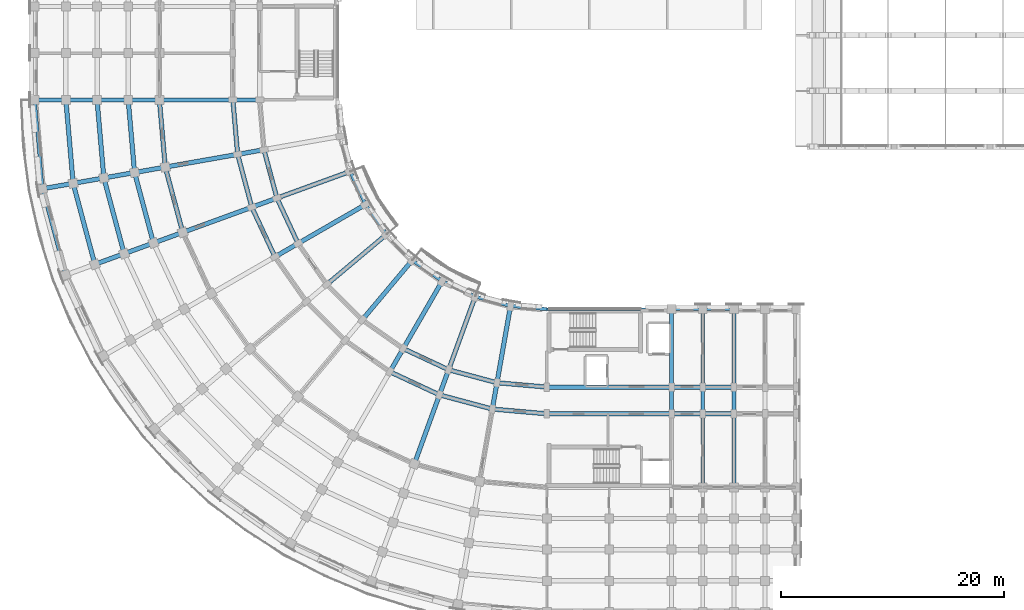
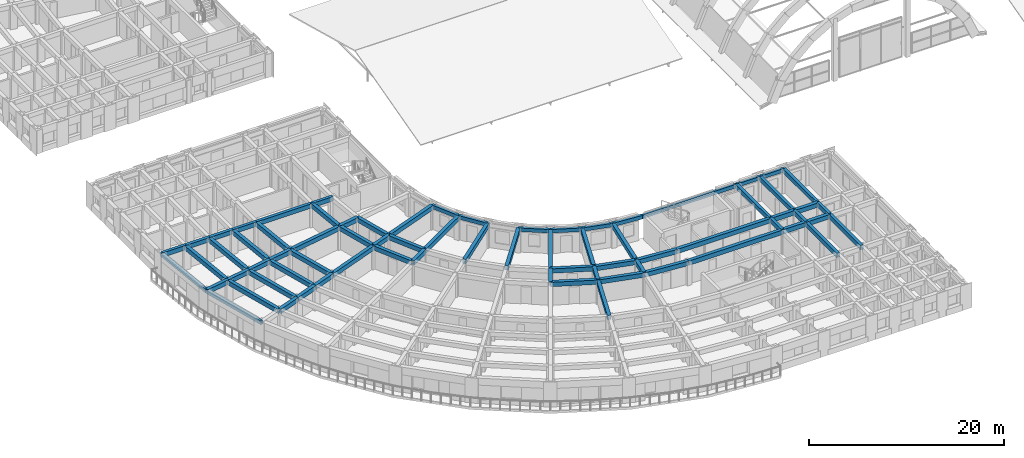
# One storey, part 11 of 76: 73 beams.
"""IFC4 building model written with IfcOpenShell, lengths in metres."""

from ifc_helpers import new_model, si_unit, direction, frame, origin, origin_2d, place, context, subcontext, project, spatial, rectangle, extrude, material, material_profile, profile_set, type_object, element, save


model = new_model("IFC4")

# Units and contexts
model_context = context("Model", 3, precision=1e-05, world=origin(), true_north=direction((0.0, 1.0)))
body_context = subcontext(model_context, "Body", "Model", "MODEL_VIEW")
ifc_project = project(units=[si_unit("LENGTHUNIT", "METRE"), si_unit("AREAUNIT", "SQUARE_METRE"), si_unit("VOLUMEUNIT", "CUBIC_METRE"), si_unit("PLANEANGLEUNIT", "RADIAN"), si_unit("MASSUNIT", "GRAM", prefix="KILO")], contexts=[model_context])

# Site, building, storey
site_placement = place(None, origin())
site = spatial("IfcSite", under=ifc_project, at=site_placement, CompositionType="ELEMENT")
building_placement = place(site_placement, origin())
building = spatial("IfcBuilding", under=site, at=building_placement, Name="Kiranvali Square Residences", CompositionType="ELEMENT")
storey_placement = place(building_placement, frame((0.0, 0.0, 8.699951171875)))
storey = spatial("IfcBuildingStorey", under=building, at=storey_placement, Name="L02", CompositionType="ELEMENT", Elevation=8.699951171875)

# Beams
ifc_material_1 = material(Name="Concrete M40 (40 MPa)", Category="concrete")
ifc_material_profile_1 = material_profile(ifc_material_1, rectangle(XDim=0.35009765625, YDim=0.550048828125, at=origin_2d()), Name="RC 350x550")
ifc_profile_set_1 = profile_set([ifc_material_profile_1], Name="Concrete M40 (40 MPa)")
beam_type_1 = type_object("IfcBeamType", Name="BM-M40-350x550", PredefinedType="BEAM", material=ifc_profile_set_1)
beam_1_placement = place(storey_placement, frame((59.39990234375, 29.39990234375, 2.655029296875), z_axis=(0.0, -1.0, 0.0), x_axis=(1.0, 0.0, 0.0)))
element("IfcBeam", 1, at=beam_1_placement, inside=storey, type_object=beam_type_1, Name="L02 beam BM-C-L02-A1T1-01", PredefinedType="BEAM", context=body_context, shape_type="SweptSolid", body=[
    extrude(rectangle(XDim=0.35009765625, YDim=0.550048828125, at=origin_2d()), origin(), (0.0, 0.0, 1.0), 7.0),
])
beam_2_placement = place(storey_placement, frame((59.39990234375, 22.39990234375, 2.655029296875), z_axis=(0.0, -1.0, 0.0), x_axis=(1.0, 0.0, 0.0)))
element("IfcBeam", 2, at=beam_2_placement, inside=storey, type_object=beam_type_1, Name="L02 beam BM-C-L02-A1T1-12", PredefinedType="BEAM", context=body_context, shape_type="SweptSolid", body=[
    extrude(rectangle(XDim=0.35009765625, YDim=0.550048828125, at=origin_2d()), origin(), (0.0, 0.0, 1.0), 2.39990234375),
])
beam_3_placement = place(storey_placement, frame((62.199951171875, 29.39990234375, 2.655029296875), z_axis=(0.0, -1.0, 0.0), x_axis=(1.0, 0.0, 0.0)))
element("IfcBeam", 3, at=beam_3_placement, inside=storey, type_object=beam_type_1, Name="L02 beam BM-C-L02-A1T2-01", PredefinedType="BEAM", context=body_context, shape_type="SweptSolid", body=[
    extrude(rectangle(XDim=0.35009765625, YDim=0.550048828125, at=origin_2d()), origin(), (0.0, 0.0, 1.0), 7.0),
])
beam_4_placement = place(storey_placement, frame((62.199951171875, 22.39990234375, 2.655029296875), z_axis=(0.0, -1.0, 0.0), x_axis=(1.0, 0.0, 0.0)))
element("IfcBeam", 4, at=beam_4_placement, inside=storey, type_object=beam_type_1, Name="L02 beam BM-C-L02-A1T2-12", PredefinedType="BEAM", context=body_context, shape_type="SweptSolid", body=[
    extrude(rectangle(XDim=0.35009765625, YDim=0.550048828125, at=origin_2d()), origin(), (0.0, 0.0, 1.0), 2.39990234375),
])
beam_5_placement = place(storey_placement, frame((62.199951171875, 20.0, 2.655029296875), z_axis=(0.0, -1.0, 0.0), x_axis=(1.0, 0.0, 0.0)))
element("IfcBeam", 5, at=beam_5_placement, inside=storey, type_object=beam_type_1, Name="L02 beam BM-C-L02-A1T2-23", PredefinedType="BEAM", context=body_context, shape_type="SweptSolid", body=[
    extrude(rectangle(XDim=0.35009765625, YDim=0.550048828125, at=origin_2d()), origin(), (0.0, 0.0, 1.0), 6.60009765625),
])
beam_6_placement = place(storey_placement, frame((65.0, 29.39990234375, 2.655029296875), z_axis=(0.0, -1.0, 0.0), x_axis=(1.0, 0.0, 0.0)))
element("IfcBeam", 6, at=beam_6_placement, inside=storey, type_object=beam_type_1, Name="L02 beam BM-C-L02-A1T3-01", PredefinedType="BEAM", context=body_context, shape_type="SweptSolid", body=[
    extrude(rectangle(XDim=0.35009765625, YDim=0.550048828125, at=origin_2d()), origin(), (0.0, 0.0, 1.0), 7.0),
])
beam_7_placement = place(storey_placement, frame((65.0, 22.39990234375, 2.655029296875), z_axis=(0.0, -1.0, 0.0), x_axis=(1.0, 0.0, 0.0)))
element("IfcBeam", 7, at=beam_7_placement, inside=storey, type_object=beam_type_1, Name="L02 beam BM-C-L02-A1T3-12", PredefinedType="BEAM", context=body_context, shape_type="SweptSolid", body=[
    extrude(rectangle(XDim=0.35009765625, YDim=0.550048828125, at=origin_2d()), origin(), (0.0, 0.0, 1.0), 2.39990234375),
])
beam_8_placement = place(storey_placement, frame((65.0, 20.0, 2.655029296875), z_axis=(0.0, -1.0, 0.0), x_axis=(1.0, 0.0, 0.0)))
element("IfcBeam", 8, at=beam_8_placement, inside=storey, type_object=beam_type_1, Name="L02 beam BM-C-L02-A1T3-23", PredefinedType="BEAM", context=body_context, shape_type="SweptSolid", body=[
    extrude(rectangle(XDim=0.35009765625, YDim=0.550048828125, at=origin_2d()), origin(), (0.0, 0.0, 1.0), 6.60009765625),
])
beam_9_placement = place(storey_placement, frame((22.39990234375, 48.199951171875, 2.655029296875), z_axis=(-1.0, 0.0, 0.0), x_axis=(0.0, -1.0, 0.0)))
element("IfcBeam", 9, at=beam_9_placement, inside=storey, type_object=beam_type_1, Name="L02 beam BM-C-L02-A2T0-12", PredefinedType="BEAM", context=body_context, shape_type="SweptSolid", body=[
    extrude(rectangle(XDim=0.35009765625, YDim=0.550048828125, at=origin_2d()), origin(), (0.0, 0.0, 1.0), 2.39990234375),
])
beam_10_placement = place(storey_placement, frame((20.0, 48.199951171875, 2.655029296875), z_axis=(-1.0, 0.0, 0.0), x_axis=(0.0, -1.0, 0.0)))
element("IfcBeam", 10, at=beam_10_placement, inside=storey, type_object=beam_type_1, Name="L02 beam BM-C-L02-A2T0-23", PredefinedType="BEAM", context=body_context, shape_type="SweptSolid", body=[
    extrude(rectangle(XDim=0.35009765625, YDim=0.550048828125, at=origin_2d()), origin(), (0.0, 0.0, 1.0), 6.60009765625),
])
beam_11_placement = place(storey_placement, frame((13.39990234375, 48.199951171875, 2.655029296875), z_axis=(-1.0, 0.0, 0.0), x_axis=(0.0, -1.0, 0.0)))
element("IfcBeam", 11, at=beam_11_placement, inside=storey, type_object=beam_type_1, Name="L02 beam BM-C-L02-A2T0-34", PredefinedType="BEAM", context=body_context, shape_type="SweptSolid", body=[
    extrude(rectangle(XDim=0.35009765625, YDim=0.550048828125, at=origin_2d()), origin(), (0.0, 0.0, 1.0), 2.7998046875),
])
for number, where, z_axis, x_axis, name in (
    (12, (10.60009765625, 48.199951171875, 2.655029296875), (-1.0, 0.0, 0.0), (0.0, -1.0, 0.0), "L02 beam BM-C-L02-A2T0-45"),
    (13, (7.800048828125, 48.199951171875, 2.655029296875), (-1.0, 0.0, 0.0), (0.0, -1.0, 0.0), "L02 beam BM-C-L02-A2T0-56"),
    (14, (5.0, 48.199951171875, 2.655029296875), (-1.0, 0.0, 0.0), (0.0, -1.0, 0.0), "L02 beam BM-C-L02-A2T0-67"),
):
    element("IfcBeam", number, at=place(storey_placement, frame(where, z_axis=z_axis, x_axis=x_axis)), inside=storey, type_object=beam_type_1, Name=name, PredefinedType="BEAM", context=body_context, shape_type="SweptSolid", body=[
        extrude(rectangle(XDim=0.35009765625, YDim=0.550048828125, at=origin_2d()), origin(), (0.0, 0.0, 1.0), 2.800048828125),
    ])
ifc_material_2 = material(Name="Concrete M45 (45 MPa)", Category="concrete")
ifc_material_profile_2 = material_profile(ifc_material_2, rectangle(XDim=0.39990234375, YDim=0.550048828125, at=origin_2d()), Name="RC 400x550")
ifc_profile_set_2 = profile_set([ifc_material_profile_2], Name="Concrete M45 (45 MPa)")
beam_type_2 = type_object("IfcBeamType", Name="BM-M45-400x550", PredefinedType="BEAM", material=ifc_profile_set_2)
beam_12_placement = place(storey_placement, frame((48.199951171875, 22.39990234375, 2.655029296875), z_axis=(-0.996191949488, 0.087187153726, 0.0), x_axis=(-0.087187153726, -0.996191949488, 0.0)))
element("IfcBeam", 15, at=beam_12_placement, inside=storey, type_object=beam_type_2, Name="L02 beam BM-C-L02-C00-R1", PredefinedType="BEAM", context=body_context, shape_type="SweptSolid", body=[
    extrude(rectangle(XDim=0.39990234375, YDim=0.550048828125, at=origin_2d()), origin(), (0.0, 0.0, 1.0), 4.4970703125),
])
beam_13_placement = place(storey_placement, frame((48.199951171875, 20.0, 2.655029296875), z_axis=(-0.996193663584, 0.087167566415, 0.0), x_axis=(-0.087167566415, -0.996193663584, 0.0)))
element("IfcBeam", 16, at=beam_13_placement, inside=storey, type_object=beam_type_2, Name="L02 beam BM-C-L02-C00-R2", PredefinedType="BEAM", context=body_context, shape_type="SweptSolid", body=[
    extrude(rectangle(XDim=0.39990234375, YDim=0.550048828125, at=origin_2d()), origin(), (0.0, 0.0, 1.0), 4.91552734375),
])
beam_14_placement = place(storey_placement, frame((43.719970703125, 22.7919921875, 2.655029296875), z_axis=(-0.965934240054, 0.258787642463, 0.0), x_axis=(-0.258787642463, -0.965934240054, 0.0)))
element("IfcBeam", 17, at=beam_14_placement, inside=storey, type_object=beam_type_2, Name="L02 beam BM-C-L02-C01-R1", PredefinedType="BEAM", context=body_context, shape_type="SweptSolid", body=[
    extrude(rectangle(XDim=0.39990234375, YDim=0.550048828125, at=origin_2d()), origin(), (0.0, 0.0, 1.0), 4.497314453125),
])
beam_15_placement = place(storey_placement, frame((43.30322265625, 20.428466796875, 2.655029296875), z_axis=(-0.965930095386, 0.258803112091, 0.0), x_axis=(-0.258803112091, -0.965930095386, 0.0)))
element("IfcBeam", 18, at=beam_15_placement, inside=storey, type_object=beam_type_2, Name="L02 beam BM-C-L02-C01-R2", PredefinedType="BEAM", context=body_context, shape_type="SweptSolid", body=[
    extrude(rectangle(XDim=0.39990234375, YDim=0.550048828125, at=origin_2d()), origin(), (0.0, 0.0, 1.0), 4.915771484375),
])
beam_16_placement = place(storey_placement, frame((39.3759765625, 23.955810546875, 2.655029296875), z_axis=(-0.906307919131, 0.422617978463, 0.0), x_axis=(-0.422617978463, -0.906307919131, 0.0)))
element("IfcBeam", 19, at=beam_16_placement, inside=storey, type_object=beam_type_2, Name="L02 beam BM-C-L02-C02-R1", PredefinedType="BEAM", context=body_context, shape_type="SweptSolid", body=[
    extrude(rectangle(XDim=0.39990234375, YDim=0.550048828125, at=origin_2d()), origin(), (0.0, 0.0, 1.0), 4.497314453125),
])
beam_17_placement = place(storey_placement, frame((38.554931640625, 21.70068359375, 2.655029296875), z_axis=(-0.906302381024, 0.422629854778, 0.0), x_axis=(-0.422629854778, -0.906302381024, 0.0)))
element("IfcBeam", 20, at=beam_17_placement, inside=storey, type_object=beam_type_2, Name="L02 beam BM-C-L02-C02-R2", PredefinedType="BEAM", context=body_context, shape_type="SweptSolid", body=[
    extrude(rectangle(XDim=0.39990234375, YDim=0.550048828125, at=origin_2d()), origin(), (0.0, 0.0, 1.0), 4.915283203125),
])
beam_18_placement = place(storey_placement, frame((25.8564453125, 35.300048828125, 2.655029296875), z_axis=(-0.422617978463, 0.906307919131, 0.0), x_axis=(-0.906307919131, -0.422617978463, 0.0)))
element("IfcBeam", 21, at=beam_18_placement, inside=storey, type_object=beam_type_2, Name="L02 beam BM-C-L02-C06-R1", PredefinedType="BEAM", context=body_context, shape_type="SweptSolid", body=[
    extrude(rectangle(XDim=0.39990234375, YDim=0.550048828125, at=origin_2d()), origin(), (0.0, 0.0, 1.0), 4.497314453125),
])
beam_19_placement = place(storey_placement, frame((23.778076171875, 34.10009765625, 2.655029296875), z_axis=(-0.422629854778, 0.906302381024, 0.0), x_axis=(-0.906302381024, -0.422629854778, 0.0)))
element("IfcBeam", 22, at=beam_19_placement, inside=storey, type_object=beam_type_2, Name="L02 beam BM-C-L02-C06-R2", PredefinedType="BEAM", context=body_context, shape_type="SweptSolid", body=[
    extrude(rectangle(XDim=0.39990234375, YDim=0.550048828125, at=origin_2d()), origin(), (0.0, 0.0, 1.0), 4.915283203125),
])
beam_20_placement = place(storey_placement, frame((23.955810546875, 39.3759765625, 2.655029296875), z_axis=(-0.258787642463, 0.965934240054, 0.0), x_axis=(-0.965934240054, -0.258787642463, 0.0)))
element("IfcBeam", 23, at=beam_20_placement, inside=storey, type_object=beam_type_2, Name="L02 beam BM-C-L02-C07-R1", PredefinedType="BEAM", context=body_context, shape_type="SweptSolid", body=[
    extrude(rectangle(XDim=0.39990234375, YDim=0.550048828125, at=origin_2d()), origin(), (0.0, 0.0, 1.0), 4.497314453125),
])
beam_21_placement = place(storey_placement, frame((21.70068359375, 38.554931640625, 2.655029296875), z_axis=(-0.258803112091, 0.965930095386, 0.0), x_axis=(-0.965930095386, -0.258803112091, 0.0)))
element("IfcBeam", 24, at=beam_21_placement, inside=storey, type_object=beam_type_2, Name="L02 beam BM-C-L02-C07-R2", PredefinedType="BEAM", context=body_context, shape_type="SweptSolid", body=[
    extrude(rectangle(XDim=0.39990234375, YDim=0.550048828125, at=origin_2d()), origin(), (0.0, 0.0, 1.0), 4.915771484375),
])
beam_22_placement = place(storey_placement, frame((15.498779296875, 36.297607421875, 2.655029296875), z_axis=(-0.258827283048, 0.965923618901, 0.0), x_axis=(-0.965923618901, -0.258827283048, 0.0)))
element("IfcBeam", 25, at=beam_22_placement, inside=storey, type_object=beam_type_2, Name="L02 beam BM-C-L02-C07-R3", PredefinedType="BEAM", context=body_context, shape_type="SweptSolid", body=[
    extrude(rectangle(XDim=0.39990234375, YDim=0.550048828125, at=origin_2d()), origin(), (0.0, 0.0, 1.0), 6.066162109375),
])
beam_23_placement = place(storey_placement, frame((12.86767578125, 35.340087890625, 2.655029296875), z_axis=(-0.258847178297, 0.965918287583, 0.0), x_axis=(-0.965918287583, -0.258847178297, 0.0)))
element("IfcBeam", 26, at=beam_23_placement, inside=storey, type_object=beam_type_2, Name="L02 beam BM-C-L02-C07-R4", PredefinedType="BEAM", context=body_context, shape_type="SweptSolid", body=[
    extrude(rectangle(XDim=0.39990234375, YDim=0.550048828125, at=origin_2d()), origin(), (0.0, 0.0, 1.0), 6.55419921875),
])
beam_24_placement = place(storey_placement, frame((10.236328125, 34.38232421875, 2.655029296875), z_axis=(-0.258799624492, 0.965931029817, 0.0), x_axis=(-0.965931029817, -0.258799624492, 0.0)))
element("IfcBeam", 27, at=beam_24_placement, inside=storey, type_object=beam_type_2, Name="L02 beam BM-C-L02-C07-R5", PredefinedType="BEAM", context=body_context, shape_type="SweptSolid", body=[
    extrude(rectangle(XDim=0.39990234375, YDim=0.550048828125, at=origin_2d()), origin(), (0.0, 0.0, 1.0), 7.042236328125),
])
beam_25_placement = place(storey_placement, frame((7.605224609375, 33.4248046875, 2.655029296875), z_axis=(-0.258818733833, 0.965925909693, 0.0), x_axis=(-0.965925909693, -0.258818733833, 0.0)))
element("IfcBeam", 28, at=beam_25_placement, inside=storey, type_object=beam_type_2, Name="L02 beam BM-C-L02-C07-R6", PredefinedType="BEAM", context=body_context, shape_type="SweptSolid", body=[
    extrude(rectangle(XDim=0.39990234375, YDim=0.550048828125, at=origin_2d()), origin(), (0.0, 0.0, 1.0), 7.5302734375),
])
beam_26_placement = place(storey_placement, frame((20.428466796875, 43.30322265625, 2.655029296875), z_axis=(-0.087167566415, 0.996193663584, 0.0), x_axis=(-0.996193663584, -0.087167566415, 0.0)))
element("IfcBeam", 29, at=beam_26_placement, inside=storey, type_object=beam_type_2, Name="L02 beam BM-C-L02-C08-R2", PredefinedType="BEAM", context=body_context, shape_type="SweptSolid", body=[
    extrude(rectangle(XDim=0.39990234375, YDim=0.550048828125, at=origin_2d()), origin(), (0.0, 0.0, 1.0), 4.91552734375),
])
beam_27_placement = place(storey_placement, frame((13.9287109375, 42.156982421875, 2.655029296875), z_axis=(-0.087174938512, 0.996193018494, 0.0), x_axis=(-0.996193018494, -0.087174938512, 0.0)))
element("IfcBeam", 30, at=beam_27_placement, inside=storey, type_object=beam_type_2, Name="L02 beam BM-C-L02-C08-R3", PredefinedType="BEAM", context=body_context, shape_type="SweptSolid", body=[
    extrude(rectangle(XDim=0.39990234375, YDim=0.550048828125, at=origin_2d()), origin(), (0.0, 0.0, 1.0), 6.066162109375),
])
beam_28_placement = place(storey_placement, frame((11.171142578125, 41.6708984375, 2.655029296875), z_axis=(-0.0871295204, 0.996196991902, 0.0), x_axis=(-0.996196991902, -0.0871295204, 0.0)))
element("IfcBeam", 31, at=beam_28_placement, inside=storey, type_object=beam_type_2, Name="L02 beam BM-C-L02-C08-R4", PredefinedType="BEAM", context=body_context, shape_type="SweptSolid", body=[
    extrude(rectangle(XDim=0.39990234375, YDim=0.550048828125, at=origin_2d()), origin(), (0.0, 0.0, 1.0), 6.553955078125),
])
beam_29_placement = place(storey_placement, frame((8.413818359375, 41.1845703125, 2.655029296875), z_axis=(-0.087156198737, 0.996194658198, 0.0), x_axis=(-0.996194658198, -0.087156198737, 0.0)))
element("IfcBeam", 32, at=beam_29_placement, inside=storey, type_object=beam_type_2, Name="L02 beam BM-C-L02-C08-R5", PredefinedType="BEAM", context=body_context, shape_type="SweptSolid", body=[
    extrude(rectangle(XDim=0.39990234375, YDim=0.550048828125, at=origin_2d()), origin(), (0.0, 0.0, 1.0), 7.042236328125),
])
beam_30_placement = place(storey_placement, frame((5.65625, 40.698486328125, 2.655029296875), z_axis=(-0.087150058103, 0.996195195417, 0.0), x_axis=(-0.996195195417, -0.087150058103, 0.0)))
element("IfcBeam", 33, at=beam_30_placement, inside=storey, type_object=beam_type_2, Name="L02 beam BM-C-L02-C08-R6", PredefinedType="BEAM", context=body_context, shape_type="SweptSolid", body=[
    extrude(rectangle(XDim=0.39990234375, YDim=0.550048828125, at=origin_2d()), origin(), (0.0, 0.0, 1.0), 7.530029296875),
])
beam_31_placement = place(storey_placement, frame((44.935302734375, 29.685546875, 2.655029296875), z_axis=(-0.173622177865, -0.984812337125, 0.0), x_axis=(0.984812337125, -0.173622177865, 0.0)))
element("IfcBeam", 34, at=beam_31_placement, inside=storey, type_object=beam_type_2, Name="L02 beam BM-C-L02-RAD01-01", PredefinedType="BEAM", context=body_context, shape_type="SweptSolid", body=[
    extrude(rectangle(XDim=0.39990234375, YDim=0.550048828125, at=origin_2d()), origin(), (0.0, 0.0, 1.0), 6.999755859375),
])
beam_32_placement = place(storey_placement, frame((43.719970703125, 22.7919921875, 2.655029296875), z_axis=(-0.173646056486, -0.984808127031, 0.0), x_axis=(0.984808127031, -0.173646056486, 0.0)))
element("IfcBeam", 35, at=beam_32_placement, inside=storey, type_object=beam_type_2, Name="L02 beam BM-C-L02-RAD01-12", PredefinedType="BEAM", context=body_context, shape_type="SweptSolid", body=[
    extrude(rectangle(XDim=0.39990234375, YDim=0.550048828125, at=origin_2d()), origin(), (0.0, 0.0, 1.0), 2.39990234375),
])
beam_33_placement = place(storey_placement, frame((41.77001953125, 30.53369140625, 2.655029296875), z_axis=(-0.342006283793, -0.939697665127, 0.0), x_axis=(0.939697665127, -0.342006283793, 0.0)))
element("IfcBeam", 36, at=beam_33_placement, inside=storey, type_object=beam_type_2, Name="L02 beam BM-C-L02-RAD02-01", PredefinedType="BEAM", context=body_context, shape_type="SweptSolid", body=[
    extrude(rectangle(XDim=0.39990234375, YDim=0.550048828125, at=origin_2d()), origin(), (0.0, 0.0, 1.0), 7.0),
])
beam_34_placement = place(storey_placement, frame((39.3759765625, 23.955810546875, 2.655029296875), z_axis=(-0.342110593602, -0.939659694648, 0.0), x_axis=(0.939659694648, -0.342110593602, 0.0)))
element("IfcBeam", 37, at=beam_34_placement, inside=storey, type_object=beam_type_2, Name="L02 beam BM-C-L02-RAD02-12", PredefinedType="BEAM", context=body_context, shape_type="SweptSolid", body=[
    extrude(rectangle(XDim=0.39990234375, YDim=0.550048828125, at=origin_2d()), origin(), (0.0, 0.0, 1.0), 2.39990234375),
])
beam_35_placement = place(storey_placement, frame((38.554931640625, 21.70068359375, 2.655029296875), z_axis=(-0.342022238372, -0.939691858249, 0.0), x_axis=(0.939691858249, -0.342022238372, 0.0)))
element("IfcBeam", 38, at=beam_35_placement, inside=storey, type_object=beam_type_2, Name="L02 beam BM-C-L02-RAD02-23", PredefinedType="BEAM", context=body_context, shape_type="SweptSolid", body=[
    extrude(rectangle(XDim=0.39990234375, YDim=0.550048828125, at=origin_2d()), origin(), (0.0, 0.0, 1.0), 6.599853515625),
])
beam_36_placement = place(storey_placement, frame((38.800048828125, 31.918701171875, 2.655029296875), z_axis=(-0.499995173006, -0.866028190633, 0.0), x_axis=(0.866028190633, -0.499995173006, 0.0)))
element("IfcBeam", 39, at=beam_36_placement, inside=storey, type_object=beam_type_2, Name="L02 beam BM-C-L02-RAD03-01", PredefinedType="BEAM", context=body_context, shape_type="SweptSolid", body=[
    extrude(rectangle(XDim=0.39990234375, YDim=0.550048828125, at=origin_2d()), origin(), (0.0, 0.0, 1.0), 7.0),
])
beam_37_placement = place(storey_placement, frame((35.300048828125, 25.8564453125, 2.655029296875), z_axis=(-0.500001309137, -0.866024647952, 0.0), x_axis=(0.866024647952, -0.500001309137, 0.0)))
element("IfcBeam", 40, at=beam_37_placement, inside=storey, type_object=beam_type_2, Name="L02 beam BM-C-L02-RAD03-12", PredefinedType="BEAM", context=body_context, shape_type="SweptSolid", body=[
    extrude(rectangle(XDim=0.39990234375, YDim=0.550048828125, at=origin_2d()), origin(), (0.0, 0.0, 1.0), 2.39990234375),
])
for number, where, z_axis, x_axis, name in (
    (41, (36.115478515625, 33.79833984375, 2.655029296875), (-0.642787931032, -0.766044173478, 0.0), (0.766044173478, -0.642787931032, 0.0), "L02 beam BM-C-L02-RAD04-01"),
    (42, (33.79833984375, 36.115478515625, 2.655029296875), (-0.766044173478, -0.642787931032, 0.0), (0.642787931032, -0.766044173478, 0.0), "L02 beam BM-C-L02-RAD05-01"),
    (43, (31.918701171875, 38.800048828125, 2.655029296875), (-0.866028190633, -0.499995173006, 0.0), (0.499995173006, -0.866028190633, 0.0), "L02 beam BM-C-L02-RAD06-01"),
):
    element("IfcBeam", number, at=place(storey_placement, frame(where, z_axis=z_axis, x_axis=x_axis)), inside=storey, type_object=beam_type_2, Name=name, PredefinedType="BEAM", context=body_context, shape_type="SweptSolid", body=[
        extrude(rectangle(XDim=0.39990234375, YDim=0.550048828125, at=origin_2d()), origin(), (0.0, 0.0, 1.0), 7.0),
    ])
beam_38_placement = place(storey_placement, frame((25.8564453125, 35.300048828125, 2.655029296875), z_axis=(-0.866024647952, -0.500001309137, 0.0), x_axis=(0.500001309137, -0.866024647952, 0.0)))
element("IfcBeam", 44, at=beam_38_placement, inside=storey, type_object=beam_type_2, Name="L02 beam BM-C-L02-RAD06-12", PredefinedType="BEAM", context=body_context, shape_type="SweptSolid", body=[
    extrude(rectangle(XDim=0.39990234375, YDim=0.550048828125, at=origin_2d()), origin(), (0.0, 0.0, 1.0), 2.39990234375),
])
beam_39_placement = place(storey_placement, frame((30.53369140625, 41.77001953125, 2.655029296875), z_axis=(-0.939697665127, -0.342006283793, 0.0), x_axis=(0.342006283793, -0.939697665127, 0.0)))
element("IfcBeam", 45, at=beam_39_placement, inside=storey, type_object=beam_type_2, Name="L02 beam BM-C-L02-RAD07-01", PredefinedType="BEAM", context=body_context, shape_type="SweptSolid", body=[
    extrude(rectangle(XDim=0.39990234375, YDim=0.550048828125, at=origin_2d()), origin(), (0.0, 0.0, 1.0), 7.0),
])
beam_40_placement = place(storey_placement, frame((23.955810546875, 39.3759765625, 2.655029296875), z_axis=(-0.939659694648, -0.342110593602, 0.0), x_axis=(0.342110593602, -0.939659694648, 0.0)))
element("IfcBeam", 46, at=beam_40_placement, inside=storey, type_object=beam_type_2, Name="L02 beam BM-C-L02-RAD07-12", PredefinedType="BEAM", context=body_context, shape_type="SweptSolid", body=[
    extrude(rectangle(XDim=0.39990234375, YDim=0.550048828125, at=origin_2d()), origin(), (0.0, 0.0, 1.0), 2.39990234375),
])
beam_41_placement = place(storey_placement, frame((21.70068359375, 38.554931640625, 2.655029296875), z_axis=(-0.939691858249, -0.342022238372, 0.0), x_axis=(0.342022238372, -0.939691858249, 0.0)))
element("IfcBeam", 47, at=beam_41_placement, inside=storey, type_object=beam_type_2, Name="L02 beam BM-C-L02-RAD07-23", PredefinedType="BEAM", context=body_context, shape_type="SweptSolid", body=[
    extrude(rectangle(XDim=0.39990234375, YDim=0.550048828125, at=origin_2d()), origin(), (0.0, 0.0, 1.0), 6.599853515625),
])
beam_42_placement = place(storey_placement, frame((15.498779296875, 36.297607421875, 2.655029296875), z_axis=(-0.93970683422, -0.341981089711, 0.0), x_axis=(0.341981089711, -0.93970683422, 0.0)))
element("IfcBeam", 48, at=beam_42_placement, inside=storey, type_object=beam_type_2, Name="L02 beam BM-C-L02-RAD07-34", PredefinedType="BEAM", context=body_context, shape_type="SweptSolid", body=[
    extrude(rectangle(XDim=0.39990234375, YDim=0.550048828125, at=origin_2d()), origin(), (0.0, 0.0, 1.0), 2.7998046875),
])
beam_43_placement = place(storey_placement, frame((12.86767578125, 35.340087890625, 2.655029296875), z_axis=(-0.939689011208, -0.342030060398, 0.0), x_axis=(0.342030060398, -0.939689011208, 0.0)))
element("IfcBeam", 49, at=beam_43_placement, inside=storey, type_object=beam_type_2, Name="L02 beam BM-C-L02-RAD07-45", PredefinedType="BEAM", context=body_context, shape_type="SweptSolid", body=[
    extrude(rectangle(XDim=0.39990234375, YDim=0.550048828125, at=origin_2d()), origin(), (0.0, 0.0, 1.0), 2.80029296875),
])
beam_44_placement = place(storey_placement, frame((10.236328125, 34.38232421875, 2.655029296875), z_axis=(-0.93970683422, -0.341981089711, 0.0), x_axis=(0.341981089711, -0.93970683422, 0.0)))
element("IfcBeam", 50, at=beam_44_placement, inside=storey, type_object=beam_type_2, Name="L02 beam BM-C-L02-RAD07-56", PredefinedType="BEAM", context=body_context, shape_type="SweptSolid", body=[
    extrude(rectangle(XDim=0.39990234375, YDim=0.550048828125, at=origin_2d()), origin(), (0.0, 0.0, 1.0), 2.7998046875),
])
beam_45_placement = place(storey_placement, frame((22.7919921875, 43.719970703125, 2.655029296875), z_axis=(-0.984808127031, -0.173646056486, 0.0), x_axis=(0.173646056486, -0.984808127031, 0.0)))
element("IfcBeam", 51, at=beam_45_placement, inside=storey, type_object=beam_type_2, Name="L02 beam BM-C-L02-RAD08-12", PredefinedType="BEAM", context=body_context, shape_type="SweptSolid", body=[
    extrude(rectangle(XDim=0.39990234375, YDim=0.550048828125, at=origin_2d()), origin(), (0.0, 0.0, 1.0), 2.39990234375),
])
beam_46_placement = place(storey_placement, frame((20.428466796875, 43.30322265625, 2.655029296875), z_axis=(-0.984803661269, -0.173671381499, 0.0), x_axis=(0.173671381499, -0.984803661269, 0.0)))
element("IfcBeam", 52, at=beam_46_placement, inside=storey, type_object=beam_type_2, Name="L02 beam BM-C-L02-RAD08-23", PredefinedType="BEAM", context=body_context, shape_type="SweptSolid", body=[
    extrude(rectangle(XDim=0.39990234375, YDim=0.550048828125, at=origin_2d()), origin(), (0.0, 0.0, 1.0), 6.60009765625),
])
beam_47_placement = place(storey_placement, frame((13.9287109375, 42.156982421875, 2.655029296875), z_axis=(-0.984816895441, -0.173596320392, 0.0), x_axis=(0.173596320392, -0.984816895441, 0.0)))
element("IfcBeam", 53, at=beam_47_placement, inside=storey, type_object=beam_type_2, Name="L02 beam BM-C-L02-RAD08-34", PredefinedType="BEAM", context=body_context, shape_type="SweptSolid", body=[
    extrude(rectangle(XDim=0.39990234375, YDim=0.550048828125, at=origin_2d()), origin(), (0.0, 0.0, 1.0), 2.800048828125),
])
beam_48_placement = place(storey_placement, frame((11.171142578125, 41.6708984375, 2.655029296875), z_axis=(-0.984799355489, -0.173695795656, 0.0), x_axis=(0.173695795656, -0.984799355489, 0.0)))
element("IfcBeam", 54, at=beam_48_placement, inside=storey, type_object=beam_type_2, Name="L02 beam BM-C-L02-RAD08-45", PredefinedType="BEAM", context=body_context, shape_type="SweptSolid", body=[
    extrude(rectangle(XDim=0.39990234375, YDim=0.550048828125, at=origin_2d()), origin(), (0.0, 0.0, 1.0), 2.7998046875),
])
beam_49_placement = place(storey_placement, frame((8.413818359375, 41.1845703125, 2.655029296875), z_axis=(-0.984816895441, -0.173596320392, 0.0), x_axis=(0.173596320392, -0.984816895441, 0.0)))
element("IfcBeam", 55, at=beam_49_placement, inside=storey, type_object=beam_type_2, Name="L02 beam BM-C-L02-RAD08-56", PredefinedType="BEAM", context=body_context, shape_type="SweptSolid", body=[
    extrude(rectangle(XDim=0.39990234375, YDim=0.550048828125, at=origin_2d()), origin(), (0.0, 0.0, 1.0), 2.800048828125),
])
beam_50_placement = place(storey_placement, frame((5.65625, 40.698486328125, 2.655029296875), z_axis=(-0.984799355489, -0.173695795656, 0.0), x_axis=(0.173695795656, -0.984799355489, 0.0)))
element("IfcBeam", 56, at=beam_50_placement, inside=storey, type_object=beam_type_2, Name="L02 beam BM-C-L02-RAD08-67", PredefinedType="BEAM", context=body_context, shape_type="SweptSolid", body=[
    extrude(rectangle(XDim=0.39990234375, YDim=0.550048828125, at=origin_2d()), origin(), (0.0, 0.0, 1.0), 2.7998046875),
])
beam_51_placement = place(storey_placement, frame((48.199951171875, 22.39990234375, 2.655029296875), z_axis=(1.0, 0.0, 0.0), x_axis=(0.0, 1.0, 0.0)))
element("IfcBeam", 57, at=beam_51_placement, inside=storey, type_object=beam_type_2, Name="L02 beam BM-C-L02-A1U0-R1", PredefinedType="BEAM", context=body_context, shape_type="SweptSolid", body=[
    extrude(rectangle(XDim=0.39990234375, YDim=0.550048828125, at=origin_2d()), origin(), (0.0, 0.0, 1.0), 11.199951171875),
])
for number, where, z_axis, x_axis, name in (
    (58, (59.39990234375, 22.39990234375, 2.655029296875), (1.0, 0.0, 0.0), (0.0, 1.0, 0.0), "L02 beam BM-C-L02-A1U1-R1"),
    (59, (62.199951171875, 22.39990234375, 2.655029296875), (1.0, 0.0, 0.0), (0.0, 1.0, 0.0), "L02 beam BM-C-L02-A1U2-R1"),
):
    element("IfcBeam", number, at=place(storey_placement, frame(where, z_axis=z_axis, x_axis=x_axis)), inside=storey, type_object=beam_type_2, Name=name, PredefinedType="BEAM", context=body_context, shape_type="SweptSolid", body=[
        extrude(rectangle(XDim=0.39990234375, YDim=0.550048828125, at=origin_2d()), origin(), (0.0, 0.0, 1.0), 2.800048828125),
    ])
beam_52_placement = place(storey_placement, frame((48.199951171875, 20.0, 2.655029296875), z_axis=(1.0, 0.0, 0.0), x_axis=(0.0, 1.0, 0.0)))
element("IfcBeam", 60, at=beam_52_placement, inside=storey, type_object=beam_type_2, Name="L02 beam BM-C-L02-A1U0-R2", PredefinedType="BEAM", context=body_context, shape_type="SweptSolid", body=[
    extrude(rectangle(XDim=0.39990234375, YDim=0.550048828125, at=origin_2d()), origin(), (0.0, 0.0, 1.0), 11.199951171875),
])
for number, where, z_axis, x_axis, name in (
    (61, (59.39990234375, 20.0, 2.655029296875), (1.0, 0.0, 0.0), (0.0, 1.0, 0.0), "L02 beam BM-C-L02-A1U1-R2"),
    (62, (62.199951171875, 20.0, 2.655029296875), (1.0, 0.0, 0.0), (0.0, 1.0, 0.0), "L02 beam BM-C-L02-A1U2-R2"),
):
    element("IfcBeam", number, at=place(storey_placement, frame(where, z_axis=z_axis, x_axis=x_axis)), inside=storey, type_object=beam_type_2, Name=name, PredefinedType="BEAM", context=body_context, shape_type="SweptSolid", body=[
        extrude(rectangle(XDim=0.39990234375, YDim=0.550048828125, at=origin_2d()), origin(), (0.0, 0.0, 1.0), 2.800048828125),
    ])
ifc_material_profile_3 = material_profile(ifc_material_1, rectangle(XDim=0.25, YDim=0.449951171875, at=origin_2d()), Name="RC 250x450")
ifc_profile_set_3 = profile_set([ifc_material_profile_3], Name="Concrete M40 (40 MPa)")
beam_type_3 = type_object("IfcBeamType", Name="SPN-M40-250x450", PredefinedType="SPANDREL", material=ifc_profile_set_3)
beam_53_placement = place(storey_placement, frame((48.199951171875, 29.39990234375, 2.705078125), z_axis=(1.0, 0.0, 0.0), x_axis=(0.0, 1.0, 0.0)))
element("IfcBeam", 63, at=beam_53_placement, inside=storey, type_object=beam_type_3, Name="L02 beam BM-C-L02-A1U0-R0", PredefinedType="SPANDREL", context=body_context, shape_type="SweptSolid", body=[
    extrude(rectangle(XDim=0.25, YDim=0.449951171875, at=origin_2d()), origin(), (0.0, 0.0, 1.0), 11.199951171875),
])
for number, where, z_axis, x_axis, name in (
    (64, (59.39990234375, 29.39990234375, 2.705078125), (1.0, 0.0, 0.0), (0.0, 1.0, 0.0), "L02 beam BM-C-L02-A1U1-R0"),
    (65, (62.199951171875, 29.39990234375, 2.705078125), (1.0, 0.0, 0.0), (0.0, 1.0, 0.0), "L02 beam BM-C-L02-A1U2-R0"),
):
    element("IfcBeam", number, at=place(storey_placement, frame(where, z_axis=z_axis, x_axis=x_axis)), inside=storey, type_object=beam_type_3, Name=name, PredefinedType="SPANDREL", context=body_context, shape_type="SweptSolid", body=[
        extrude(rectangle(XDim=0.25, YDim=0.449951171875, at=origin_2d()), origin(), (0.0, 0.0, 1.0), 2.800048828125),
    ])
ifc_material_profile_4 = material_profile(ifc_material_1, rectangle(XDim=0.300048828125, YDim=0.449951171875, at=origin_2d()), Name="RC 300x450")
ifc_profile_set_4 = profile_set([ifc_material_profile_4], Name="Concrete M40 (40 MPa)")
beam_type_4 = type_object("IfcBeamType", Name="SPN-M40-300x450", PredefinedType="SPANDREL", material=ifc_profile_set_4)
beam_54_placement = place(storey_placement, frame((48.199951171875, 29.39990234375, 2.705078125), z_axis=(-0.996194040944, 0.087163253657, 0.0), x_axis=(-0.087163253657, -0.996194040944, 0.0)))
element("IfcBeam", 66, at=beam_54_placement, inside=storey, type_object=beam_type_4, Name="L02 beam BM-C-L02-C00-R0", PredefinedType="SPANDREL", context=body_context, shape_type="SweptSolid", body=[
    extrude(rectangle(XDim=0.300048828125, YDim=0.449951171875, at=origin_2d()), origin(), (0.0, 0.0, 1.0), 3.277099609375),
])
beam_55_placement = place(storey_placement, frame((44.935302734375, 29.685546875, 2.705078125), z_axis=(-0.965925105099, 0.258821736607, 0.0), x_axis=(-0.258821736607, -0.965925105099, 0.0)))
element("IfcBeam", 67, at=beam_55_placement, inside=storey, type_object=beam_type_4, Name="L02 beam BM-C-L02-C01-R0", PredefinedType="SPANDREL", context=body_context, shape_type="SweptSolid", body=[
    extrude(rectangle(XDim=0.300048828125, YDim=0.449951171875, at=origin_2d()), origin(), (0.0, 0.0, 1.0), 3.27685546875),
])
for number, where, z_axis, x_axis, name in (
    (68, (41.77001953125, 30.53369140625, 2.705078125), (-0.90629730464, 0.422640740585, 0.0), (-0.422640740585, -0.90629730464, 0.0), "L02 beam BM-C-L02-C02-R0"),
    (69, (38.800048828125, 31.918701171875, 2.705078125), (-0.81916891812, 0.573552337269, 0.0), (-0.573552337269, -0.81916891812, 0.0), "L02 beam BM-C-L02-C03-R0"),
    (70, (33.79833984375, 36.115478515625, 2.705078125), (-0.573552337269, 0.81916891812, 0.0), (-0.81916891812, -0.573552337269, 0.0), "L02 beam BM-C-L02-C05-R0"),
    (71, (31.918701171875, 38.800048828125, 2.705078125), (-0.422640740585, 0.90629730464, 0.0), (-0.90629730464, -0.422640740585, 0.0), "L02 beam BM-C-L02-C06-R0"),
):
    element("IfcBeam", number, at=place(storey_placement, frame(where, z_axis=z_axis, x_axis=x_axis)), inside=storey, type_object=beam_type_4, Name=name, PredefinedType="SPANDREL", context=body_context, shape_type="SweptSolid", body=[
        extrude(rectangle(XDim=0.300048828125, YDim=0.449951171875, at=origin_2d()), origin(), (0.0, 0.0, 1.0), 3.277099609375),
    ])
for number, where, z_axis, x_axis, name in (
    (72, (4.97412109375, 32.467041015625, 2.705078125), (-0.258807108475, 0.96592902462, 0.0), (-0.96592902462, -0.258807108475, 0.0), "L02 beam BM-C-L02-C07-R7"),
    (73, (2.89892578125, 40.212158203125, 2.705078125), (-0.087172238171, 0.996193254792, 0.0), (-0.996193254792, -0.087172238171, 0.0), "L02 beam BM-C-L02-C08-R7"),
):
    element("IfcBeam", number, at=place(storey_placement, frame(where, z_axis=z_axis, x_axis=x_axis)), inside=storey, type_object=beam_type_4, Name=name, PredefinedType="SPANDREL", context=body_context, shape_type="SweptSolid", body=[
        extrude(rectangle(XDim=0.300048828125, YDim=0.449951171875, at=origin_2d()), origin(), (0.0, 0.0, 1.0), 8.018310546875),
    ])

save(model, "model.ifc")
